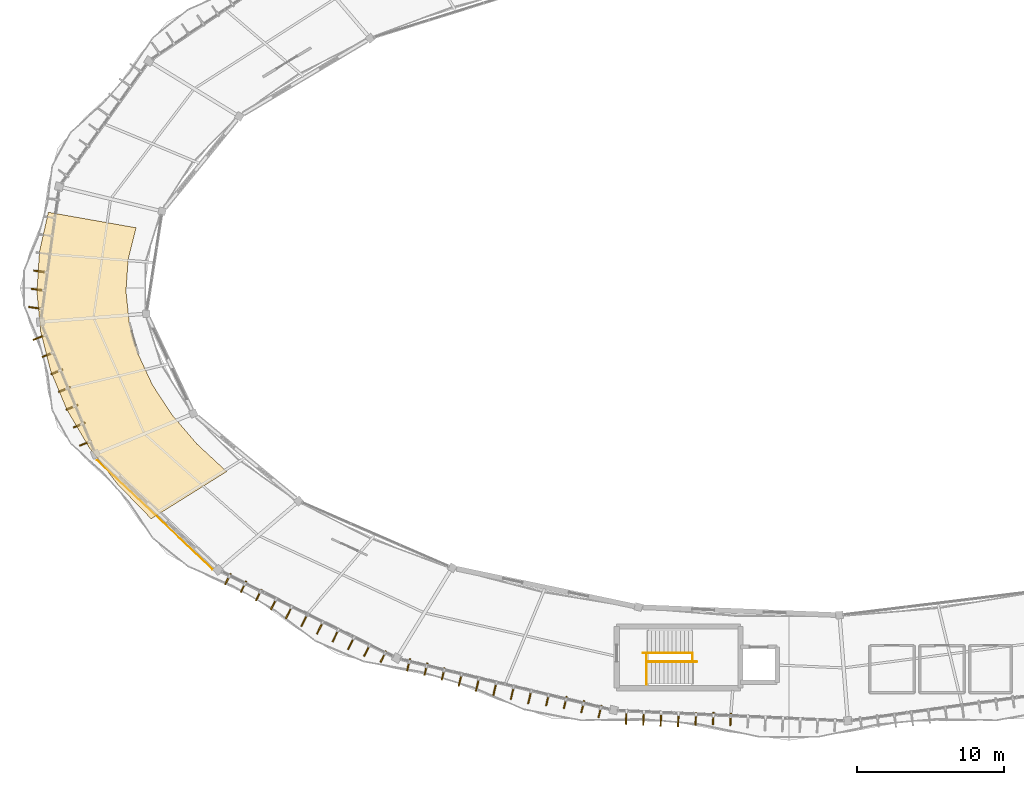
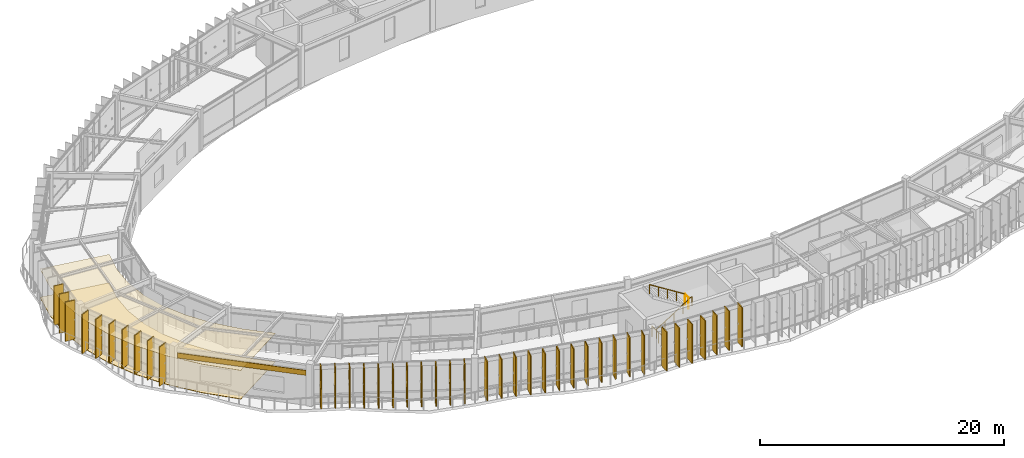
# One storey, part 75 of 79: 40 shading devices, 4 railings, 3 coverings.
"""IFC4 building model written with IfcOpenShell, lengths in metres."""

from ifc_helpers import new_model, si_unit, direction, frame, origin, origin_2d, place, context, subcontext, project, spatial, polyline, rectangle, circle, outline, extrude, material, layer, layer_set, type_object, element, save


model = new_model("IFC4")

# Units and contexts
model_context = context("Model", 3, precision=1e-05, world=origin(), true_north=direction((0.0, 1.0)))
body_context = subcontext(model_context, "Body", "Model", "MODEL_VIEW")
ifc_project = project(units=[si_unit("LENGTHUNIT", "METRE"), si_unit("AREAUNIT", "SQUARE_METRE"), si_unit("VOLUMEUNIT", "CUBIC_METRE"), si_unit("PLANEANGLEUNIT", "RADIAN"), si_unit("MASSUNIT", "GRAM", prefix="KILO"), si_unit("THERMODYNAMICTEMPERATUREUNIT", "KELVIN"), si_unit("POWERUNIT", "WATT")], contexts=[model_context])

# Site, building, storey
site_placement = place(None, origin())
site = spatial("IfcSite", under=ifc_project, at=site_placement, CompositionType="ELEMENT")
building_placement = place(site_placement, origin())
building = spatial("IfcBuilding", under=site, at=building_placement, Name="Darbajah Civic Hall", CompositionType="ELEMENT")
storey_placement = place(building_placement, frame((0.0, 0.0, 22.199951171875)))
storey = spatial("IfcBuildingStorey", under=building, at=storey_placement, Name="L05", CompositionType="ELEMENT", Elevation=22.199951171875)

# Railings
ifc_material_1 = material(Name="Brushed Bronze Stainless Steel", Category="steel")
railing_type_1 = type_object("IfcRailingType", Name="Brushed Bronze Handrail", PredefinedType="HANDRAIL", material=ifc_material_1)
railing_1_placement = place(storey_placement, frame((79.47998046875, 64.39990234375, 0.175048828125)))
element("IfcRailing", 1, at=railing_1_placement, inside=storey, type_object=railing_type_1, Name="ST03 L05 lower flight handrail", PredefinedType="HANDRAIL", context=body_context, shape_type="SweptSolid", body=[
    extrude(circle(Radius=0.02392578125, at=origin_2d()), frame((0.023193359375, 0.0, 0.910400390625), z_axis=(0.845944288966, 0.0, 0.533271281775), x_axis=(0.0, 1.0, 0.0)), (0.0, 0.0, 1.0), 3.91748046875),
    extrude(circle(Radius=0.02099609375, at=origin_2d()), origin(), (0.0, 0.0, 1.0), 0.867919921875),
    extrude(circle(Radius=0.02099609375, at=origin_2d()), frame((0.840087890625, 0.0, 0.529541015625)), (0.0, 0.0, 1.0), 0.867919921875),
    extrude(circle(Radius=0.02099609375, at=origin_2d()), frame((1.68017578125, 0.0, 1.05908203125)), (0.0, 0.0, 1.0), 0.867919921875),
    extrude(circle(Radius=0.02099609375, at=origin_2d()), frame((2.52001953125, 0.0, 1.588623046875)), (0.0, 0.0, 1.0), 0.867919921875),
    extrude(circle(Radius=0.02099609375, at=origin_2d()), frame((3.360107421875, 0.0, 2.1181640625)), (0.0, 0.0, 1.0), 0.867919921875),
])
railing_2_placement = place(storey_placement, frame((82.56005859375, 65.0, 2.275146484375)))
element("IfcRailing", 2, at=railing_2_placement, inside=storey, type_object=railing_type_1, Name="ST03 L05 upper flight handrail", PredefinedType="HANDRAIL", context=body_context, shape_type="SweptSolid", body=[
    extrude(circle(Radius=0.02392578125, at=origin_2d()), frame((-0.023193359375, 0.0, 0.910400390625), z_axis=(-0.845972016735, 0.0, 0.533227293844), x_axis=(0.0, -1.0, 0.0)), (0.0, 0.0, 1.0), 3.917236328125),
    extrude(circle(Radius=0.02099609375, at=origin_2d()), origin(), (0.0, 0.0, 1.0), 0.867919921875),
    extrude(circle(Radius=0.02099609375, at=origin_2d()), frame((-0.840087890625, 0.0, 0.529541015625)), (0.0, 0.0, 1.0), 0.867919921875),
    extrude(circle(Radius=0.02099609375, at=origin_2d()), frame((-1.68017578125, 0.0, 1.05908203125)), (0.0, 0.0, 1.0), 0.867919921875),
    extrude(circle(Radius=0.02099609375, at=origin_2d()), frame((-2.52001953125, 0.0, 1.58837890625)), (0.0, 0.0, 1.0), 0.867919921875),
    extrude(circle(Radius=0.02099609375, at=origin_2d()), frame((-3.360107421875, 0.0, 2.117919921875)), (0.0, 0.0, 1.0), 0.867919921875),
])

# Covering
ifc_material_2 = material(Name="Honed Qatari Limestone Terrazzo", Category="masonry")
ifc_layer_1 = layer(ifc_material_2, 0.030029296875, Name="Honed Qatari Limestone Terrazzo")
ifc_layer_set_1 = layer_set([ifc_layer_1], Name="Honed Qatari Limestone Terrazzo")
covering_type_1 = type_object("IfcCoveringType", Name="Honed Qatari Limestone Terrazzo Flooring", PredefinedType="FLOORING", material=ifc_layer_set_1)
covering_1_placement = place(storey_placement, origin())
element("IfcCovering", 3, at=covering_1_placement, inside=storey, type_object=covering_type_1, Name="L05 stone terrazzo flooring L05-V1-05", PredefinedType="FLOORING", context=body_context, shape_type="SweptSolid", body=[
    extrude(outline(polyline([(38.7763671875, 94.93994140625), (38.175537109375, 92.251220703125), (38.001953125, 89.541748046875), (38.257080078125, 86.83447265625), (38.93896484375, 84.152099609375), (40.04150390625, 81.51708984375), (41.5556640625, 78.95166015625), (43.46875, 76.47705078125), (45.7646484375, 74.114501953125), (50.8955078125, 77.3203125), (48.871337890625, 79.2001953125), (47.184814453125, 81.1689453125), (45.849853515625, 83.2099609375), (44.877685546875, 85.306396484375), (44.276611328125, 87.440673828125), (44.0517578125, 89.594482421875), (44.20458984375, 91.75), (44.734375, 93.889404296875), (38.7763671875, 94.93994140625)])), origin(), (0.0, 0.0, 1.0), 0.030029296875),
])

# Railings
ifc_material_3 = material(Name="Brushed Bronze and Laminated Safety Glass", Category="glass")
railing_type_2 = type_object("IfcRailingType", Name="Interior Guard Balustrade", PredefinedType="BALUSTRADE", material=ifc_material_3)
railing_3_placement = place(storey_placement, frame((79.429931640625, 62.85009765625, 0.0)))
element("IfcRailing", 4, at=railing_3_placement, inside=storey, type_object=railing_type_2, Name="ST03 L05 stair-well edge guard", PredefinedType="BALUSTRADE", context=body_context, shape_type="SweptSolid", body=[
    extrude(circle(Radius=0.02392578125, at=origin_2d()), frame((0.0, 0.02734375, 1.09619140625), z_axis=(0.0, 1.0, 0.0), x_axis=(-1.0, 0.0, 0.0)), (0.0, 0.0, 1.0), 2.09521484375),
    extrude(circle(Radius=0.02099609375, at=origin_2d()), origin(), (0.0, 0.0, 1.0), 1.068115234375),
    extrude(circle(Radius=0.02099609375, at=origin_2d()), frame((0.0, 1.074951171875, 0.0)), (0.0, 0.0, 1.0), 1.068115234375),
    extrude(circle(Radius=0.02099609375, at=origin_2d()), frame((0.0, 2.14990234375, 0.0)), (0.0, 0.0, 1.0), 1.068115234375),
])
railing_4_placement = place(storey_placement, frame((82.5400390625, 64.39990234375, 2.10009765625)))
element("IfcRailing", 5, at=railing_4_placement, inside=storey, type_object=railing_type_2, Name="ST03 L05 landing well guard", PredefinedType="BALUSTRADE", context=body_context, shape_type="SweptSolid", body=[
    extrude(circle(Radius=0.02392578125, at=origin_2d()), frame((0.0, 0.02734375, 1.09619140625), z_axis=(0.0, 1.0, 0.0), x_axis=(-1.0, 0.0, 0.0)), (0.0, 0.0, 1.0), 0.54541015625),
    extrude(circle(Radius=0.02099609375, at=origin_2d()), origin(), (0.0, 0.0, 1.0), 1.068115234375),
    extrude(circle(Radius=0.02099609375, at=origin_2d()), frame((0.0, 0.60009765625, 0.0)), (0.0, 0.0, 1.0), 1.068115234375),
])

# Coverings
ifc_material_4 = material(Name="Qatari Desert Limestone Ashlar", Category="masonry")
ifc_layer_2 = layer(ifc_material_4, 0.044921875, Name="Qatari Desert Limestone Ashlar")
ifc_layer_set_2 = layer_set([ifc_layer_2], Name="Qatari Desert Limestone Ashlar")
covering_type_2 = type_object("IfcCoveringType", Name="Limestone Facade Cladding", PredefinedType="CLADDING", material=ifc_layer_set_2)
covering_2_placement = place(storey_placement, frame((0.0, 0.0, 3.02001953125)))
element("IfcCovering", 6, at=covering_2_placement, inside=storey, type_object=covering_type_2, Name="L05 stone frieze cladding EW-V1O-L05-11", PredefinedType="CLADDING", context=body_context, shape_type="SweptSolid", body=[
    extrude(outline(polyline([(42.103759765625, 78.107421875), (49.95361328125, 70.697998046875), (49.922607421875, 70.665283203125), (42.07275390625, 78.07470703125), (42.103759765625, 78.107421875)])), origin(), (0.0, 0.0, 1.0), 0.5),
])
ifc_material_5 = material(Name="Perforated Acoustic Gypsum Board")
ifc_layer_3 = layer(ifc_material_5, 0.02490234375, Name="Perforated Acoustic Gypsum Board")
ifc_layer_set_3 = layer_set([ifc_layer_3], Name="Perforated Acoustic Gypsum Board")
covering_type_3 = type_object("IfcCoveringType", Name="Perforated Acoustic Gypsum Ceiling", PredefinedType="CEILING", material=ifc_layer_set_3)
covering_3_placement = place(storey_placement, frame((0.0, 0.0, 2.85009765625)))
element("IfcCovering", 7, at=covering_3_placement, inside=storey, type_object=covering_type_3, Name="L05 acoustic suspended ceiling L05-V1-05", PredefinedType="CEILING", context=body_context, shape_type="SweptSolid", body=[
    extrude(outline(polyline([(38.7763671875, 94.93994140625), (38.175537109375, 92.251220703125), (38.001953125, 89.541748046875), (38.257080078125, 86.83447265625), (38.93896484375, 84.152099609375), (40.04150390625, 81.51708984375), (41.5556640625, 78.95166015625), (43.46875, 76.47705078125), (45.7646484375, 74.114501953125), (50.8955078125, 77.3203125), (48.871337890625, 79.2001953125), (47.184814453125, 81.1689453125), (45.849853515625, 83.2099609375), (44.877685546875, 85.306396484375), (44.276611328125, 87.440673828125), (44.0517578125, 89.594482421875), (44.20458984375, 91.75), (44.734375, 93.889404296875), (38.7763671875, 94.93994140625)])), origin(), (0.0, 0.0, 1.0), 0.02490234375),
])

# Shading devices
ifc_material_6 = material(Name="Bronze Anodised Aluminium and Teak Composite", Category="aluminium")
shading_device_type = type_object("IfcShadingDeviceType", Name="Vertical Bronze Timber Shading Fin", PredefinedType="USERDEFINED", material=ifc_material_6)
for number, where, z_axis, x_axis, name in (
    (8, (38.20458984375, 90.91943359375, 0.0), (0.0, 0.0, 1.0), (-0.990865897387, 0.134850930274, 0.0), "L05 vertical shading fin VF-09-5"),
    (9, (38.03662109375, 89.68359375, 0.0), (0.0, 0.0, 1.0), (-0.990865897387, 0.134850930274, 0.0), "L05 vertical shading fin VF-09-6"),
    (10, (37.868408203125, 88.447509765625, 0.0), (0.0, 0.0, 1.0), (-0.990865897387, 0.134850930274, 0.0), "L05 vertical shading fin VF-09-7"),
    (11, (38.14111328125, 86.4287109375, 0.0), (0.0, 0.0, 1.0), (-0.923612143954, -0.383328328644, 0.0), "L05 vertical shading fin VF-10-1"),
    (12, (38.748046875, 85.263427734375, 0.0), (0.0, 0.0, 1.0), (-0.923612143954, -0.383328328644, 0.0), "L05 vertical shading fin VF-10-2"),
    (13, (39.347412109375, 84.094970703125, 0.0), (0.0, 0.0, 1.0), (-0.923612143954, -0.383328328644, 0.0), "L05 vertical shading fin VF-10-3"),
    (14, (39.875, 82.896484375, 0.0), (0.0, 0.0, 1.0), (-0.923612143954, -0.383328328644, 0.0), "L05 vertical shading fin VF-10-4"),
    (15, (40.376708984375, 81.6875, 0.0), (0.0, 0.0, 1.0), (-0.923612143954, -0.383328328644, 0.0), "L05 vertical shading fin VF-10-5"),
    (16, (40.87841796875, 80.478515625, 0.0), (0.0, 0.0, 1.0), (-0.923612143954, -0.383328328644, 0.0), "L05 vertical shading fin VF-10-6"),
    (17, (41.30029296875, 79.236328125, 0.0), (0.0, 0.0, 1.0), (-0.923612143954, -0.383328328644, 0.0), "L05 vertical shading fin VF-10-7"),
    (18, (50.979248046875, 70.019775390625, 0.0), (0.0, 0.0, 1.0), (-0.442914717678, -0.89656374724, 0.0), "L05 vertical shading fin VF-12-1"),
    (19, (52.037109375, 69.4970703125, 0.0), (0.0, 0.0, 1.0), (-0.442914717678, -0.89656374724, 0.0), "L05 vertical shading fin VF-12-2"),
    (20, (53.07421875, 68.932373046875, 0.0), (0.0, 0.0, 1.0), (-0.442914717678, -0.89656374724, 0.0), "L05 vertical shading fin VF-12-3"),
    (21, (54.08544921875, 68.3154296875, 0.0), (0.0, 0.0, 1.0), (-0.442914717678, -0.89656374724, 0.0), "L05 vertical shading fin VF-12-4"),
    (22, (55.10009765625, 67.705078125, 0.0), (0.0, 0.0, 1.0), (-0.442914717678, -0.89656374724, 0.0), "L05 vertical shading fin VF-12-5"),
    (23, (56.15771484375, 67.1826171875, 0.0), (0.0, 0.0, 1.0), (-0.442914717678, -0.89656374724, 0.0), "L05 vertical shading fin VF-12-6"),
    (24, (57.2158203125, 66.659912109375, 0.0), (0.0, 0.0, 1.0), (-0.442914717678, -0.89656374724, 0.0), "L05 vertical shading fin VF-12-7"),
    (25, (58.273681640625, 66.13720703125, 0.0), (0.0, 0.0, 1.0), (-0.442914717678, -0.89656374724, 0.0), "L05 vertical shading fin VF-12-8"),
    (26, (59.33154296875, 65.614501953125, 0.0), (0.0, 0.0, 1.0), (-0.442914717678, -0.89656374724, 0.0), "L05 vertical shading fin VF-12-9"),
    (27, (60.419189453125, 65.15234375, 0.0), (0.0, 0.0, 1.0), (-0.442914717678, -0.89656374724, 0.0), "L05 vertical shading fin VF-12-10"),
    (28, (61.534912109375, 64.7470703125, 0.0), (0.0, 0.0, 1.0), (-0.442914717678, -0.89656374724, 0.0), "L05 vertical shading fin VF-12-11"),
    (29, (63.251953125, 64.18310546875, 0.0), (0.0, 0.0, 1.0), (-0.232936200179, -0.972492018808, 0.0), "L05 vertical shading fin VF-13-1"),
    (30, (64.435546875, 63.8994140625, 0.0), (0.0, 0.0, 1.0), (-0.232936200179, -0.972492018808, 0.0), "L05 vertical shading fin VF-13-2"),
    (31, (65.607177734375, 63.56591796875, 0.0), (0.0, 0.0, 1.0), (-0.232936200179, -0.972492018808, 0.0), "L05 vertical shading fin VF-13-3"),
    (32, (66.75830078125, 63.147216796875, 0.0), (0.0, 0.0, 1.0), (-0.232936200179, -0.972492018808, 0.0), "L05 vertical shading fin VF-13-4"),
    (33, (67.927978515625, 62.8056640625, 0.0), (0.0, 0.0, 1.0), (-0.232936200179, -0.972492018808, 0.0), "L05 vertical shading fin VF-13-5"),
    (34, (69.11181640625, 62.522216796875, 0.0), (0.0, 0.0, 1.0), (-0.232936200179, -0.972492018808, 0.0), "L05 vertical shading fin VF-13-6"),
    (35, (70.295166015625, 62.238525390625, 0.0), (0.0, 0.0, 1.0), (-0.232936200179, -0.972492018808, 0.0), "L05 vertical shading fin VF-13-7"),
    (36, (71.478759765625, 61.954833984375, 0.0), (0.0, 0.0, 1.0), (-0.232936200179, -0.972492018808, 0.0), "L05 vertical shading fin VF-13-8"),
    (37, (72.697265625, 61.81689453125, 0.0), (0.0, 0.0, 1.0), (-0.232936200179, -0.972492018808, 0.0), "L05 vertical shading fin VF-13-9"),
    (38, (73.904296875, 61.630859375, 0.0), (0.0, 0.0, 1.0), (-0.232936200179, -0.972492018808, 0.0), "L05 vertical shading fin VF-13-10"),
    (39, (75.087890625, 61.347412109375, 0.0), (0.0, 0.0, 1.0), (-0.232936200179, -0.972492018808, 0.0), "L05 vertical shading fin VF-13-11"),
    (40, (76.26025390625, 61.01708984375, 0.0), (0.0, 0.0, 1.0), (-0.232936200179, -0.972492018808, 0.0), "L05 vertical shading fin VF-13-12"),
    (41, (78.0380859375, 60.56103515625, 0.0), (0.0, 0.0, 1.0), (-0.045537340693, -0.998962637241, 0.0), "L05 vertical shading fin VF-14-1"),
    (42, (79.21923828125, 60.50732421875, 0.0), (0.0, 0.0, 1.0), (-0.045537340693, -0.998962637241, 0.0), "L05 vertical shading fin VF-14-2"),
    (43, (80.400146484375, 60.45361328125, 0.0), (0.0, 0.0, 1.0), (-0.045537340693, -0.998962637241, 0.0), "L05 vertical shading fin VF-14-3"),
    (44, (81.581298828125, 60.39990234375, 0.0), (0.0, 0.0, 1.0), (-0.045537340693, -0.998962637241, 0.0), "L05 vertical shading fin VF-14-4"),
    (45, (82.77001953125, 60.515380859375, 0.0), (0.0, 0.0, 1.0), (-0.045537340693, -0.998962637241, 0.0), "L05 vertical shading fin VF-14-5"),
    (46, (83.95458984375, 60.5419921875, 0.0), (0.0, 0.0, 1.0), (-0.045537340693, -0.998962637241, 0.0), "L05 vertical shading fin VF-14-6"),
    (47, (85.1357421875, 60.48828125, 0.0), (0.0, 0.0, 1.0), (-0.045537340693, -0.998962637241, 0.0), "L05 vertical shading fin VF-14-7"),
):
    element("IfcShadingDevice", number, at=place(storey_placement, frame(where, z_axis=z_axis, x_axis=x_axis)), inside=storey, type_object=shading_device_type, Name=name, ObjectType="VERTICAL FIN", PredefinedType="USERDEFINED", context=body_context, shape_type="SweptSolid", body=[
        extrude(rectangle(XDim=0.85009765625, YDim=0.090087890625, at=origin_2d()), origin(), (0.0, 0.0, 1.0), 3.919921875),
    ])

save(model, "model.ifc")
